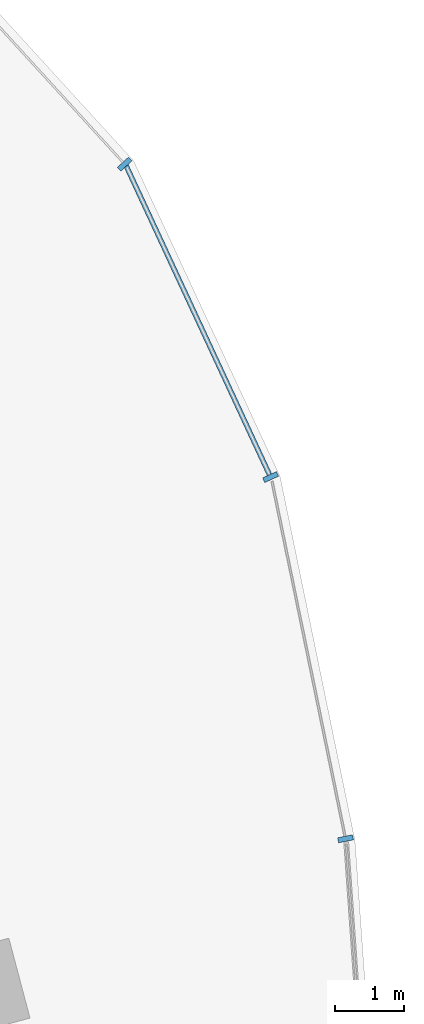
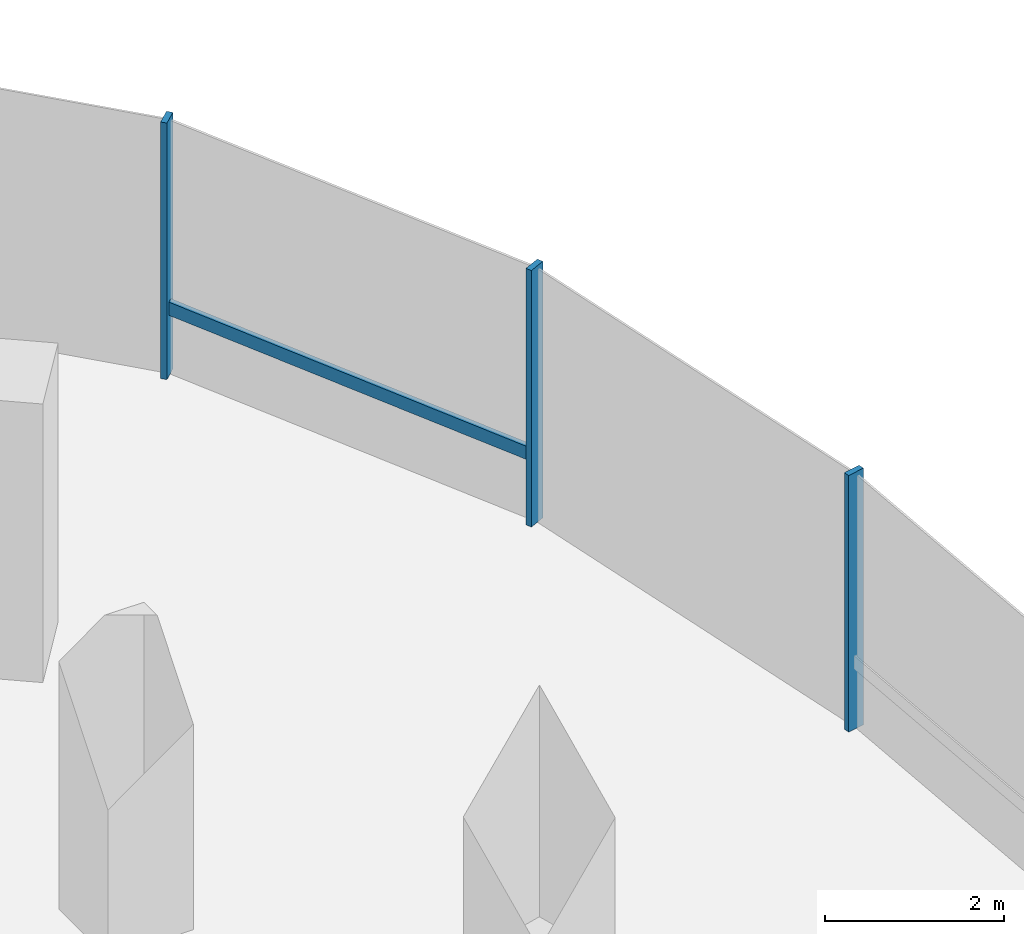
# One storey, part 8 of 21: 4 members, 1 element without a shape of its own.
"""IFC4 building model written with IfcOpenShell, lengths in metres."""

import ifcopenshell
import ifcopenshell.guid

model = None  # the IFC model being written
_history = None  # IfcOwnerHistory: only IFC2X3 demands one
_inside = {}  # id of a spatial element -> (the spatial element, [elements in it])
_under = {}  # id of a project, library or spatial element -> (it, [spatial elements below it])
_declared = {}  # id of a project -> (the project, [libraries it declares])
_typed = {}  # id of a type object -> (the type object, [elements of that type])
_made_of = {}  # id of a material, layer set ... -> (it, [elements and type objects made of it])


def new_model(schema):
    """Start an empty IFC model of exactly this schema.

    Asked for "IFC4X3", IfcOpenShell would pick the latest addendum, in which some entities
    have other attributes; the version numbers below select the first issue.
    IFC2X3 requires an IfcOwnerHistory on every rooted entity: one is made here for all.
    """
    global model, _history
    if schema == "IFC4X3":
        model = ifcopenshell.file(schema_version=(4, 3, 0, 0))
    else:
        model = ifcopenshell.file(schema=schema)
    _inside.clear()
    _under.clear()
    _declared.clear()
    _typed.clear()
    _made_of.clear()
    _history = None
    if model.schema == "IFC2X3":
        org = make("IfcOrganization", Name="unknown")
        user = make(
            "IfcPersonAndOrganization",
            ThePerson=make("IfcPerson", FamilyName="unknown"),
            TheOrganization=org,
        )
        app = make(
            "IfcApplication",
            ApplicationDeveloper=org,
            Version="unknown",
            ApplicationFullName="unknown",
            ApplicationIdentifier="unknown",
        )
        _history = make(
            "IfcOwnerHistory",
            OwningUser=user,
            OwningApplication=app,
            ChangeAction="ADDED",
            CreationDate=0,
        )
    return model


def make(cls, **values):
    """One entity of the class cls with the attributes given. An attribute that is None is left unset."""
    return model.create_entity(
        cls, **{name: value for name, value in values.items() if value is not None}
    )


def rooted(cls, **values):
    """An entity with a GlobalId (a new one), such as an element, a storey or a relation."""
    return make(cls, GlobalId=ifcopenshell.guid.new(), OwnerHistory=_history, **values)


def si_unit(unit_type, name, prefix=None):
    """IfcSIUnit, for example si_unit("LENGTHUNIT", "METRE", prefix="MILLI")."""
    return make("IfcSIUnit", UnitType=unit_type, Prefix=prefix, Name=name)


def assignment(units):
    """IfcUnitAssignment: the units of a project."""
    return None if units is None else make("IfcUnitAssignment", Units=units)


def point(xyz):
    """IfcCartesianPoint."""
    return None if xyz is None else make("IfcCartesianPoint", Coordinates=xyz)


def direction(xyz):
    """IfcDirection."""
    return None if xyz is None else make("IfcDirection", DirectionRatios=xyz)


def frame(location, z_axis=None, x_axis=None):
    """IfcAxis2Placement3D, a coordinate frame: its origin and axes. An axis left out is left unset."""
    return make(
        "IfcAxis2Placement3D",
        Location=point(location),
        Axis=direction(z_axis),
        RefDirection=direction(x_axis),
    )


def frame_2d(location, x_axis=None):
    """IfcAxis2Placement2D, a coordinate frame in the plane: its origin and x axis."""
    return make(
        "IfcAxis2Placement2D", Location=point(location), RefDirection=direction(x_axis)
    )


def origin():
    """The frame at (0, 0, 0) with its axes left unset."""
    return frame((0.0, 0.0, 0.0))


def origin_2d():
    """The frame at (0, 0) in the plane with its x axis left unset."""
    return frame_2d((0.0, 0.0))


def place(relative_to, where):
    """IfcLocalPlacement: puts the frame where relative to a parent placement (None: the world)."""
    return make(
        "IfcLocalPlacement", PlacementRelTo=relative_to, RelativePlacement=where
    )


def context(
    kind, dimensions, precision=None, world=None, true_north=None, identifier=None
):
    """IfcGeometricRepresentationContext, for example the 3D "Model" context."""
    return make(
        "IfcGeometricRepresentationContext",
        ContextIdentifier=identifier,
        ContextType=kind,
        CoordinateSpaceDimension=dimensions,
        Precision=precision,
        WorldCoordinateSystem=world,
        TrueNorth=true_north,
    )


def subcontext(parent, identifier, kind, view, scale=None):
    """IfcGeometricRepresentationSubContext, for example "Body" below "Model"."""
    return make(
        "IfcGeometricRepresentationSubContext",
        ContextIdentifier=identifier,
        ContextType=kind,
        ParentContext=parent,
        TargetScale=scale,
        TargetView=view,
    )


def project(units=None, contexts=None):
    """IfcProject with its units and contexts."""
    return rooted(
        "IfcProject",
        Name="project",
        RepresentationContexts=contexts,
        UnitsInContext=assignment(units),
    )


def spatial(cls, under=None, at=None, **own):
    """A site, building, storey or space (cls), placed at a placement, below another one or the project."""
    s = rooted(cls, ObjectPlacement=at, **own)
    if under is not None:
        _under.setdefault(under.id(), (under, []))[1].append(s)
    return s


def profile(cls, at=None, kind="AREA", **sizes):
    """A parametric profile (cls). Its sizes go by their IFC names, for example OverallWidth=200.0."""
    return make(cls, ProfileType=kind, Position=at, **sizes)


def rectangle(**sizes):
    """IfcRectangleProfileDef."""
    return profile("IfcRectangleProfileDef", **sizes)


def extrude(swept, where, along, depth):
    """IfcExtrudedAreaSolid: the profile swept, set in the frame where, extruded along a direction by depth."""
    return make(
        "IfcExtrudedAreaSolid",
        SweptArea=swept,
        Position=where,
        ExtrudedDirection=direction(along),
        Depth=depth,
    )


def shape(context_of_items, identifier, shape_type, items):
    """IfcShapeRepresentation: the items that make up one representation, for example the "Body"."""
    return make(
        "IfcShapeRepresentation",
        ContextOfItems=context_of_items,
        RepresentationIdentifier=identifier,
        RepresentationType=shape_type,
        Items=items,
    )


def material(Name=None, Category=None):
    """IfcMaterial."""
    return make("IfcMaterial", Name=Name, Category=Category)


def material_profile(
    of_material, cross_section, Name=None, Category=None, Priority=None
):
    """IfcMaterialProfile: a cross section and its material."""
    return make(
        "IfcMaterialProfile",
        Name=Name,
        Material=of_material,
        Profile=cross_section,
        Priority=Priority,
        Category=Category,
    )


def profile_set(profiles, Name=None, composite=None):
    """IfcMaterialProfileSet."""
    return make(
        "IfcMaterialProfileSet",
        Name=Name,
        MaterialProfiles=profiles,
        CompositeProfile=composite,
    )


def made_of(thing, what):
    """Note that an element or type object is made of a material, layer set ...; save() writes the relation."""
    if what is not None:
        _made_of.setdefault(what.id(), (what, []))[1].append(thing)
    return thing


def type_object(cls, material=None, **own):
    """A type object (cls), such as IfcWallType, which elements share."""
    return made_of(rooted(cls, **own), material)


def element(
    cls,
    number,
    at=None,
    inside=None,
    cuts=None,
    type_object=None,
    material=None,
    context=None,
    identifier="Body",
    shape_type=None,
    held_by="IfcProductDefinitionShape",
    body=None,
    shapes=None,
    **own,
):
    """One element of the class cls, such as IfcWall. Its Tag is "e" and its number.

    at: its placement. inside: the storey or other place that contains it. cuts: it is an
    opening in that element (IfcRelVoidsElement). A single representation is given by context,
    identifier, shape_type and body (its items); several are given by shapes. held_by: the class
    of the entity that holds the representations. save() writes the other relations.
    """
    e = rooted(cls, Tag="e%d" % number, ObjectPlacement=at, **own)
    if body is not None:
        shapes = [shape(context, identifier, shape_type, body)]
    if shapes is not None:
        e.Representation = make(held_by, Representations=shapes)
    if inside is not None:
        _inside.setdefault(inside.id(), (inside, []))[1].append(e)
    if cuts is not None:
        rooted(
            "IfcRelVoidsElement", RelatingBuildingElement=cuts, RelatedOpeningElement=e
        )
    if type_object is not None:
        _typed.setdefault(type_object.id(), (type_object, []))[1].append(e)
    return made_of(e, material)


def aggregate(whole, parts):
    """IfcRelAggregates: a whole, such as a stair, and the parts it consists of."""
    return rooted("IfcRelAggregates", RelatingObject=whole, RelatedObjects=parts)


def save(model, path):
    """Write the relations noted so far, then the file.

    IfcRelAggregates (storeys below a building ...), IfcRelContainedInSpatialStructure (elements
    in a storey), IfcRelDefinesByType, IfcRelAssociatesMaterial and IfcRelDeclares: one each for
    every whole, place, type object, material and project.
    """
    for whole, parts in _under.values():
        aggregate(whole, parts)
    for where, things in _inside.values():
        rooted(
            "IfcRelContainedInSpatialStructure",
            RelatedElements=things,
            RelatingStructure=where,
        )
    for kind, things in _typed.values():
        rooted("IfcRelDefinesByType", RelatedObjects=things, RelatingType=kind)
    for what, things in _made_of.values():
        rooted("IfcRelAssociatesMaterial", RelatedObjects=things, RelatingMaterial=what)
    for by, libraries in _declared.values():
        rooted("IfcRelDeclares", RelatingContext=by, RelatedDefinitions=libraries)
    model.write(path)


model = new_model("IFC4")

# Units and contexts
model_context = context("Model", 3, precision=1e-05, world=origin(), true_north=direction((0.0, 1.0)))
body_context = subcontext(model_context, "Body", "Model", "MODEL_VIEW")
ifc_project = project(units=[si_unit("LENGTHUNIT", "METRE"), si_unit("AREAUNIT", "SQUARE_METRE"), si_unit("VOLUMEUNIT", "CUBIC_METRE"), si_unit("PLANEANGLEUNIT", "RADIAN"), si_unit("MASSUNIT", "GRAM", prefix="KILO"), si_unit("THERMODYNAMICTEMPERATUREUNIT", "KELVIN"), si_unit("POWERUNIT", "WATT")], contexts=[model_context])

# Site, building, storey
site_placement = place(None, origin())
site = spatial("IfcSite", under=ifc_project, at=site_placement, CompositionType="ELEMENT")
building_placement = place(site_placement, origin())
building = spatial("IfcBuilding", under=site, at=building_placement, Name="Cundina Bronze Exchange", CompositionType="ELEMENT")
storey_placement = place(building_placement, frame((0.0, 0.0, 31.60009765625)))
storey = spatial("IfcBuildingStorey", under=building, at=storey_placement, Name="L07", CompositionType="ELEMENT", Elevation=31.60009765625)

# Curtain wall, members
ifc_material = material(Name="Anodised Bronze Aluminium 6063-T6", Category="aluminium")
curtain_wall_type = type_object("IfcCurtainWallType", Name="CWS-TRD-LOW", PredefinedType="NOTDEFINED", material=ifc_material)
curtain_wall_placement = place(storey_placement, origin())
curtain_wall = element("IfcCurtainWall", 1, at=curtain_wall_placement, inside=storey, type_object=curtain_wall_type, Name="L07 CW-02 Curtain Wall Run CWR-L07-E1", PredefinedType="NOTDEFINED")
ifc_material_profile_1 = material_profile(ifc_material, rectangle(XDim=0.074951171875, YDim=0.219970703125, at=origin_2d()), Name="AL75X220", Category="aluminium")
ifc_profile_set_1 = profile_set([ifc_material_profile_1], Name="Anodised Bronze Aluminium 6063-T6")
member_type_1 = type_object("IfcMemberType", Name="CWM-MUL-220", PredefinedType="MULLION", material=ifc_profile_set_1)
member_1_placement = place(storey_placement, frame((50.717041015625, 8.67822265625, 0.0), z_axis=(0.0, 0.0, 1.0), x_axis=(-0.201419845156, 0.979505000486, 0.0)))
member_1 = element("IfcMember", 2, at=member_1_placement, type_object=member_type_1, Name="CW-02 Mullion 2", PredefinedType="MULLION", context=body_context, shape_type="SweptSolid", body=[
    extrude(rectangle(XDim=0.074951171875, YDim=0.219970703125, at=origin_2d()), origin(), (0.0, 0.0, 1.0), 3.5),
])
member_2_placement = place(storey_placement, frame((49.6279296875, 13.931884765625, 0.0), z_axis=(0.0, 0.0, 1.0), x_axis=(-0.42087749791, 0.907117485088, 0.0)))
member_2 = element("IfcMember", 3, at=member_2_placement, type_object=member_type_1, Name="CW-02 Mullion 3", PredefinedType="MULLION", context=body_context, shape_type="SweptSolid", body=[
    extrude(rectangle(XDim=0.074951171875, YDim=0.219970703125, at=origin_2d()), origin(), (0.0, 0.0, 1.0), 3.5),
])
member_3_placement = place(storey_placement, frame((47.508544921875, 18.47705078125, 0.0), z_axis=(0.0, 0.0, 1.0), x_axis=(-0.674302387584, 0.738455340626, 0.0)))
member_3 = element("IfcMember", 4, at=member_3_placement, type_object=member_type_1, Name="CW-02 Mullion 4", PredefinedType="MULLION", context=body_context, shape_type="SweptSolid", body=[
    extrude(rectangle(XDim=0.074951171875, YDim=0.219970703125, at=origin_2d()), origin(), (0.0, 0.0, 1.0), 3.5),
])
ifc_material_profile_2 = material_profile(ifc_material, rectangle(XDim=0.070068359375, YDim=0.179931640625, at=origin_2d()), Name="AL70X180", Category="aluminium")
ifc_profile_set_2 = profile_set([ifc_material_profile_2], Name="Anodised Bronze Aluminium 6063-T6")
member_type_2 = type_object("IfcMemberType", Name="CWM-TRN-180", PredefinedType="USERDEFINED", material=ifc_profile_set_2)
member_4_placement = place(storey_placement, frame((49.610595703125, 13.96923828125, 0.919921875), z_axis=(-0.420811422796, 0.907148139195, 0.0), x_axis=(-0.907148139195, -0.420811422796, 0.0)))
member_4 = element("IfcMember", 5, at=member_4_placement, type_object=member_type_2, Name="CW-02 Spandrel Transom 3", ObjectType="TRANSOM", PredefinedType="USERDEFINED", context=body_context, shape_type="SweptSolid", body=[
    extrude(rectangle(XDim=0.070068359375, YDim=0.179931640625, at=origin_2d()), origin(), (0.0, 0.0, 1.0), 4.95166015625),
])
aggregate(curtain_wall, [member_1, member_2, member_4, member_3])

save(model, "model.ifc")
